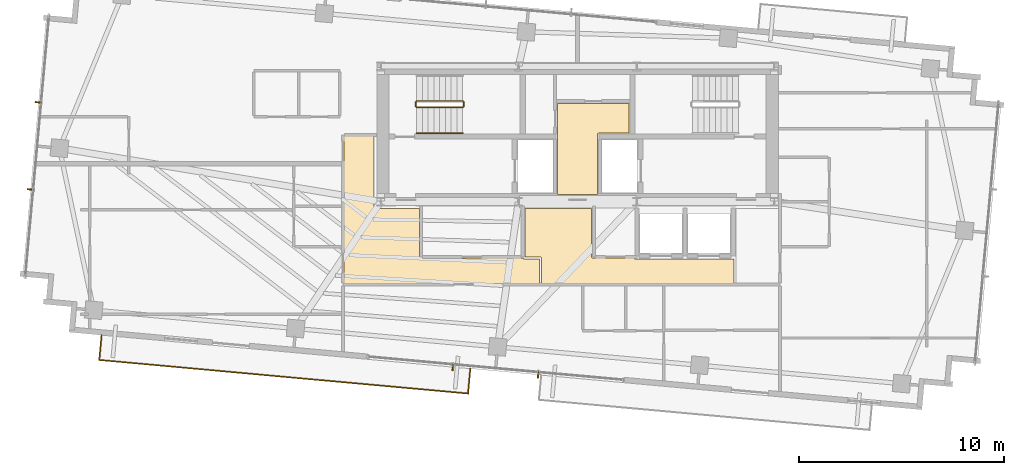
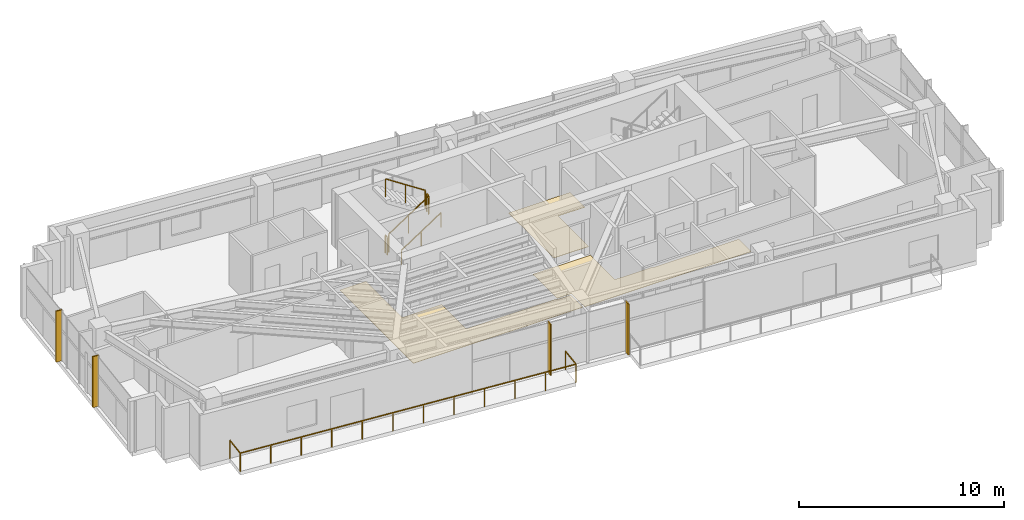
# One storey, part 20 of 22: 6 railings, 4 shading devices, 3 coverings.
"""IFC4 building model written with IfcOpenShell, lengths in metres."""

from ifc_helpers import new_model, si_unit, direction, frame, origin, origin_2d, place, context, subcontext, project, spatial, polyline, rectangle, outline, extrude, source, transform, mapped, material, layer, layer_set, type_object, type_shapes, element, save


model = new_model("IFC4")

# Units and contexts
model_context = context("Model", 3, precision=1e-05, world=origin(), true_north=direction((0.0, 1.0)))
body_context = subcontext(model_context, "Body", "Model", "MODEL_VIEW")
ifc_project = project(units=[si_unit("LENGTHUNIT", "METRE"), si_unit("AREAUNIT", "SQUARE_METRE"), si_unit("VOLUMEUNIT", "CUBIC_METRE"), si_unit("PLANEANGLEUNIT", "RADIAN"), si_unit("MASSUNIT", "GRAM", prefix="KILO")], contexts=[model_context])

# Site, building, storey
site_placement = place(None, origin())
site = spatial("IfcSite", under=ifc_project, at=site_placement, CompositionType="ELEMENT")
building_placement = place(site_placement, origin())
building = spatial("IfcBuilding", under=site, at=building_placement, Name="Astriad Promenade Condominiums", CompositionType="ELEMENT")
storey_placement = place(building_placement, frame((0.0, 0.0, 252.89990234375)))
storey = spatial("IfcBuildingStorey", under=building, at=storey_placement, Name="L73", CompositionType="ELEMENT", Elevation=252.89990234375)

# Coverings
ifc_material_1 = material(Name="Polished Lakefront Terrazzo Flooring")
ifc_layer = layer(ifc_material_1, 0.02001953125)
ifc_layer_set = layer_set([ifc_layer], Name="Polished Lakefront Terrazzo Flooring")
covering_type = type_object("IfcCoveringType", Name="COV-FLOR-TERRAZZO-20", PredefinedType="FLOORING", material=ifc_layer_set)
covering_1_placement = place(storey_placement, origin())
element("IfcCovering", 1, at=covering_1_placement, inside=storey, type_object=covering_type, Name="FLR-L73-CSL", PredefinedType="FLOORING", context=body_context, shape_type="SweptSolid", body=[
    extrude(outline(polyline([(36.97998046875, 20.699951171875), (36.97998046875, 17.739990234375), (35.02001953125, 17.739990234375), (35.02001953125, 22.179931640625), (38.5, 22.179931640625), (38.5, 20.739990234375), (37.02001953125, 20.739990234375), (37.01611328125, 20.73974609375), (37.01220703125, 20.7392578125), (37.00830078125, 20.73828125), (37.004638671875, 20.737060546875), (37.001220703125, 20.7353515625), (36.997802734375, 20.7333984375), (36.99462890625, 20.73095703125), (36.99169921875, 20.728271484375), (36.989013671875, 20.725341796875), (36.98681640625, 20.72216796875), (36.984619140625, 20.718994140625), (36.98291015625, 20.71533203125), (36.981689453125, 20.711669921875), (36.980712890625, 20.707763671875), (36.980224609375, 20.703857421875), (36.97998046875, 20.699951171875)])), origin(), (0.0, 0.0, 1.0), 0.02001953125),
])
covering_2_placement = place(storey_placement, origin())
element("IfcCovering", 2, at=covering_2_placement, inside=storey, type_object=covering_type, Name="FLR-L73-LLB", PredefinedType="FLOORING", context=body_context, shape_type="SweptSolid", body=[
    extrude(outline(polyline([(43.639892578125, 14.610107421875), (43.639892578125, 13.39990234375), (34.239990234375, 13.39990234375), (34.239990234375, 14.64990234375), (34.23974609375, 14.65380859375), (34.2392578125, 14.65771484375), (34.23828125, 14.66162109375), (34.237060546875, 14.665283203125), (34.2353515625, 14.6689453125), (34.2333984375, 14.672119140625), (34.23095703125, 14.67529296875), (34.228271484375, 14.67822265625), (34.225341796875, 14.680908203125), (34.22216796875, 14.683349609375), (34.218994140625, 14.685302734375), (34.21533203125, 14.68701171875), (34.211669921875, 14.688232421875), (34.207763671875, 14.689208984375), (34.203857421875, 14.689697265625), (34.199951171875, 14.68994140625), (33.43994140625, 14.68994140625), (33.43994140625, 17.06005859375), (36.679931640625, 17.06005859375), (36.679931640625, 14.699951171875), (36.68017578125, 14.696044921875), (36.680908203125, 14.692138671875), (36.681640625, 14.6884765625), (36.68310546875, 14.684814453125), (36.684814453125, 14.68115234375), (36.686767578125, 14.677734375), (36.689208984375, 14.674560546875), (36.691650390625, 14.671630859375), (36.694580078125, 14.669189453125), (36.69775390625, 14.666748046875), (36.701171875, 14.664794921875), (36.70458984375, 14.6630859375), (36.70849609375, 14.66162109375), (36.712158203125, 14.660888671875), (36.716064453125, 14.66015625), (36.719970703125, 14.659912109375), (38.760009765625, 14.659912109375), (38.760009765625, 14.64990234375), (38.76025390625, 14.64599609375), (38.7607421875, 14.64208984375), (38.76171875, 14.638427734375), (38.762939453125, 14.634765625), (38.7646484375, 14.631103515625), (38.7666015625, 14.627685546875), (38.76904296875, 14.62451171875), (38.771728515625, 14.62158203125), (38.774658203125, 14.619140625), (38.77783203125, 14.61669921875), (38.781005859375, 14.61474609375), (38.78466796875, 14.613037109375), (38.788330078125, 14.61181640625), (38.792236328125, 14.61083984375), (38.796142578125, 14.610107421875), (38.800048828125, 14.610107421875), (43.639892578125, 14.610107421875)])), origin(), (0.0, 0.0, 1.0), 0.02001953125),
])
covering_3_placement = place(storey_placement, origin())
element("IfcCovering", 3, at=covering_3_placement, inside=storey, type_object=covering_type, Name="FLR-L73-COR-1", PredefinedType="FLOORING", context=body_context, shape_type="SweptSolid", body=[
    extrude(outline(polyline([(24.590087890625, 13.39990234375), (24.590087890625, 20.610107421875), (26.06005859375, 20.610107421875), (26.06005859375, 17.10009765625), (26.060302734375, 17.09619140625), (26.060791015625, 17.09228515625), (26.061767578125, 17.08837890625), (26.06298828125, 17.084716796875), (26.064697265625, 17.0810546875), (26.066650390625, 17.077880859375), (26.069091796875, 17.07470703125), (26.07177734375, 17.07177734375), (26.07470703125, 17.069091796875), (26.077880859375, 17.066650390625), (26.0810546875, 17.064697265625), (26.084716796875, 17.06298828125), (26.08837890625, 17.061767578125), (26.09228515625, 17.060791015625), (26.09619140625, 17.060302734375), (26.10009765625, 17.06005859375), (28.280029296875, 17.06005859375), (28.280029296875, 14.699951171875), (28.2802734375, 14.696044921875), (28.28076171875, 14.692138671875), (28.28173828125, 14.6884765625), (28.282958984375, 14.684814453125), (28.28466796875, 14.68115234375), (28.28662109375, 14.677734375), (28.2890625, 14.674560546875), (28.291748046875, 14.671630859375), (28.294677734375, 14.669189453125), (28.2978515625, 14.666748046875), (28.301025390625, 14.664794921875), (28.3046875, 14.6630859375), (28.308349609375, 14.66162109375), (28.312255859375, 14.660888671875), (28.316162109375, 14.66015625), (28.320068359375, 14.659912109375), (33.35009765625, 14.659912109375), (33.35009765625, 14.64892578125), (33.35009765625, 14.64501953125), (33.350830078125, 14.64111328125), (33.35107421875, 14.64013671875), (33.351318359375, 14.639404296875), (33.351318359375, 14.638427734375), (33.352294921875, 14.634521484375), (33.353759765625, 14.630859375), (33.3544921875, 14.629150390625), (33.356201171875, 14.6259765625), (33.356689453125, 14.625), (33.35888671875, 14.62158203125), (33.3603515625, 14.61962890625), (33.36083984375, 14.618896484375), (33.361083984375, 14.61865234375), (33.361328125, 14.618408203125), (33.361572265625, 14.617919921875), (33.36328125, 14.615966796875), (33.365966796875, 14.61328125), (33.367919921875, 14.611572265625), (33.368408203125, 14.611328125), (33.36865234375, 14.611083984375), (33.368896484375, 14.61083984375), (33.36962890625, 14.6103515625), (33.37158203125, 14.60888671875), (33.375, 14.606689453125), (33.3759765625, 14.606201171875), (33.379150390625, 14.6044921875), (33.3798828125, 14.604248046875), (33.380859375, 14.603759765625), (33.384521484375, 14.602294921875), (33.388427734375, 14.601318359375), (33.389404296875, 14.601318359375), (33.39013671875, 14.60107421875), (33.39111328125, 14.600830078125), (33.39501953125, 14.60009765625), (33.39892578125, 14.60009765625), (34.14990234375, 14.60009765625), (34.14990234375, 13.39990234375), (24.590087890625, 13.39990234375)])), origin(), (0.0, 0.0, 1.0), 0.02001953125),
])

# Shading devices
ifc_material_2 = material(Name="Anodised aluminium 6063-T6 Black Fin", Category="aluminium")
shading_device_type = type_object("IfcShadingDeviceType", Name="FIN-BLACK-260", PredefinedType="USERDEFINED", material=ifc_material_2)
shared_shape_1 = source(origin(), body_context, "Body", "SweptSolid", [
    extrude(rectangle(XDim=0.06494140625, YDim=0.320068359375, at=origin_2d()), origin(), (0.0, 0.0, 1.0), 3.0400390625),
])
type_shapes(shading_device_type, [shared_shape_1])
for number, where, z_axis, x_axis, name in (
    (4, (9.293212890625, 17.9970703125, 0.0), (0.0, 0.0, 1.0), (0.090632580198, 0.995884398616, 0.0), "CW-L73-W-FIN-01"),
    (5, (9.6796875, 22.246337890625, 0.0), (0.0, 0.0, 1.0), (0.090632580198, 0.995884398616, 0.0), "CW-L73-W-FIN-02"),
    (6, (34.073974609375, 8.937255859375, 0.0), (0.0, 0.0, 1.0), (-0.995884398616, 0.090632580198, 0.0), "CW-L73-S-FIN-01"),
    (7, (29.9111328125, 9.316162109375, 0.0), (0.0, 0.0, 1.0), (-0.995884398616, 0.090632580198, 0.0), "CW-L73-S-FIN-02"),
):
    element("IfcShadingDevice", number, at=place(storey_placement, frame(where, z_axis=z_axis, x_axis=x_axis)), inside=storey, type_object=shading_device_type, Name=name, ObjectType="FIN", PredefinedType="USERDEFINED", context=body_context, shape_type="MappedRepresentation", body=[
        mapped(shared_shape_1, transform((0.0, 0.0, 0.0), scale=1.0)),
    ])

# Railings
ifc_material_3 = material(Name="Laminated Glass and Stainless Steel Balustrade", Category="steel")
railing_type_1 = type_object("IfcRailingType", Name="GRD-BALC-1120", PredefinedType="BALUSTRADE", material=ifc_material_3)
shared_shape_2 = source(origin(), body_context, "Body", "SweptSolid", [
    extrude(rectangle(XDim=0.048095703125, YDim=0.048095703125, at=origin_2d()), frame((0.0, 0.0, 1.09619140625), z_axis=(-0.090643994769, -0.995883359743, 0.0), x_axis=(0.995883359743, -0.090643994769, 0.0)), (0.0, 0.0, 1.0), 1.22021484375),
    extrude(rectangle(XDim=0.048095703125, YDim=0.048095703125, at=origin_2d()), frame((-0.110595703125, -1.215087890625, 1.09619140625), z_axis=(0.995884455486, -0.090631955301, 0.0), x_axis=(0.090631955301, 0.995884455486, 0.0)), (0.0, 0.0, 1.0), 18.0751953125),
    extrude(rectangle(XDim=0.048095703125, YDim=0.048095703125, at=origin_2d()), frame((17.89013671875, -2.853271484375, 1.09619140625), z_axis=(0.090445536319, 0.995901403232, 0.0), x_axis=(-0.995901403232, 0.090445536319, 0.0)), (0.0, 0.0, 1.0), 1.219970703125),
    extrude(rectangle(XDim=0.0419921875, YDim=0.0419921875, at=origin_2d()), origin(), (0.0, 0.0, 1.0), 1.072021484375),
    extrude(rectangle(XDim=0.0419921875, YDim=0.0419921875, at=origin_2d()), frame((-0.110595703125, -1.215087890625, 0.0)), (0.0, 0.0, 1.0), 1.072021484375),
    extrude(rectangle(XDim=0.0419921875, YDim=0.0419921875, at=origin_2d()), frame((1.52587890625, -1.364013671875, 0.0)), (0.0, 0.0, 1.0), 1.072021484375),
    extrude(rectangle(XDim=0.0419921875, YDim=0.0419921875, at=origin_2d()), frame((3.162353515625, -1.512939453125, 0.0)), (0.0, 0.0, 1.0), 1.072021484375),
    extrude(rectangle(XDim=0.0419921875, YDim=0.0419921875, at=origin_2d()), frame((4.798583984375, -1.661865234375, 0.0)), (0.0, 0.0, 1.0), 1.072021484375),
    extrude(rectangle(XDim=0.0419921875, YDim=0.0419921875, at=origin_2d()), frame((6.43505859375, -1.810791015625, 0.0)), (0.0, 0.0, 1.0), 1.072021484375),
    extrude(rectangle(XDim=0.0419921875, YDim=0.0419921875, at=origin_2d()), frame((8.071533203125, -1.959716796875, 0.0)), (0.0, 0.0, 1.0), 1.072021484375),
    extrude(rectangle(XDim=0.0419921875, YDim=0.0419921875, at=origin_2d()), frame((9.7080078125, -2.108642578125, 0.0)), (0.0, 0.0, 1.0), 1.072021484375),
    extrude(rectangle(XDim=0.0419921875, YDim=0.0419921875, at=origin_2d()), frame((11.344482421875, -2.257568359375, 0.0)), (0.0, 0.0, 1.0), 1.072021484375),
    extrude(rectangle(XDim=0.0419921875, YDim=0.0419921875, at=origin_2d()), frame((12.98095703125, -2.406494140625, 0.0)), (0.0, 0.0, 1.0), 1.072021484375),
    extrude(rectangle(XDim=0.0419921875, YDim=0.0419921875, at=origin_2d()), frame((14.6171875, -2.555419921875, 0.0)), (0.0, 0.0, 1.0), 1.072021484375),
    extrude(rectangle(XDim=0.0419921875, YDim=0.0419921875, at=origin_2d()), frame((16.253662109375, -2.704345703125, 0.0)), (0.0, 0.0, 1.0), 1.072021484375),
    extrude(rectangle(XDim=0.0419921875, YDim=0.0419921875, at=origin_2d()), frame((17.89013671875, -2.853271484375, 0.0)), (0.0, 0.0, 1.0), 1.072021484375),
    extrude(rectangle(XDim=0.0419921875, YDim=0.0419921875, at=origin_2d()), frame((18.00048828125, -1.63818359375, 0.0)), (0.0, 0.0, 1.0), 1.072021484375),
])
type_shapes(railing_type_1, [shared_shape_2])
railing_1_placement = place(storey_placement, frame((12.765869140625, 10.886474609375, 0.0)))
element("IfcRailing", 8, at=railing_1_placement, inside=storey, type_object=railing_type_1, Name="GRD-BALC-L73-SW", PredefinedType="BALUSTRADE", context=body_context, shape_type="MappedRepresentation", body=[
    mapped(shared_shape_2, transform((0.0, 0.0, 0.0), scale=1.0)),
])
ifc_material_4 = material(Name="Painted Galvanised Steel Guardrail", Category="steel")
railing_type_2 = type_object("IfcRailingType", Name="GRD-STAIR-1100", PredefinedType="GUARDRAIL", material=ifc_material_4)
shared_shape_3 = source(origin(), body_context, "Body", "SweptSolid", [
    extrude(rectangle(XDim=0.048095703125, YDim=0.048095703125, at=origin_2d()), frame((0.0, 0.0, 1.076171875), z_axis=(0.0, 1.0, 0.0), x_axis=(-1.0, 0.0, 0.0)), (0.0, 0.0, 1.0), 0.199951171875),
    extrude(rectangle(XDim=0.0419921875, YDim=0.0419921875, at=origin_2d()), origin(), (0.0, 0.0, 1.0), 1.052001953125),
    extrude(rectangle(XDim=0.0419921875, YDim=0.0419921875, at=origin_2d()), frame((0.0, 0.199951171875, 0.0)), (0.0, 0.0, 1.0), 1.052001953125),
])
for number, where, name in (
    (9, (30.43994140625, 22.050048828125, 1.650146484375), "L73 ST-1 stair guard 2"),
    (10, (28.10009765625, 22.050048828125, 0.0), "L73 ST-1 stair guard 4"),
):
    element("IfcRailing", number, at=place(storey_placement, frame(where)), inside=storey, type_object=railing_type_2, Name=name, PredefinedType="GUARDRAIL", context=body_context, shape_type="MappedRepresentation", body=[
        mapped(shared_shape_3, transform((0.0, 0.0, 0.0), scale=1.0)),
    ])
shared_shape_4 = source(origin(), body_context, "Body", "SweptSolid", [
    extrude(rectangle(XDim=0.048095703125, YDim=0.048095703125, at=origin_2d()), frame((0.0, 0.0, 1.076171875), z_axis=(-0.836636935527, 0.0, 0.547757827979), x_axis=(0.0, -1.0, 0.0)), (0.0, 0.0, 1.0), 2.677490234375),
    extrude(rectangle(XDim=0.0419921875, YDim=0.0419921875, at=origin_2d()), origin(), (0.0, 0.0, 1.0), 1.052001953125),
    extrude(rectangle(XDim=0.0419921875, YDim=0.0419921875, at=origin_2d()), frame((-1.1201171875, 0.0, 0.7333984375)), (0.0, 0.0, 1.0), 1.052001953125),
    extrude(rectangle(XDim=0.0419921875, YDim=0.0419921875, at=origin_2d()), frame((-2.239990234375, 0.0, 1.466552734375)), (0.0, 0.0, 1.0), 1.052001953125),
])
railing_2_placement = place(storey_placement, frame((30.389892578125, 22.300048828125, 1.83349609375)))
element("IfcRailing", 11, at=railing_2_placement, inside=storey, type_object=railing_type_2, Name="L73 ST-1 stair guard 3", PredefinedType="GUARDRAIL", context=body_context, shape_type="MappedRepresentation", body=[
    mapped(shared_shape_4, transform((0.0, 0.0, 0.0), scale=1.0)),
])
shared_shape_5 = source(origin(), body_context, "Body", "SweptSolid", [
    extrude(rectangle(XDim=0.048095703125, YDim=0.048095703125, at=origin_2d()), frame((0.0, 0.0, 1.076171875), z_axis=(0.836595146698, 0.0, 0.547821650285), x_axis=(0.0, 1.0, 0.0)), (0.0, 0.0, 1.0), 2.677490234375),
    extrude(rectangle(XDim=0.0419921875, YDim=0.0419921875, at=origin_2d()), origin(), (0.0, 0.0, 1.0), 1.052001953125),
    extrude(rectangle(XDim=0.0419921875, YDim=0.0419921875, at=origin_2d()), frame((1.1201171875, 0.0, 0.7333984375)), (0.0, 0.0, 1.0), 1.052001953125),
    extrude(rectangle(XDim=0.0419921875, YDim=0.0419921875, at=origin_2d()), frame((2.239990234375, 0.0, 1.466796875)), (0.0, 0.0, 1.0), 1.052001953125),
])
type_shapes(railing_type_2, [shared_shape_3, shared_shape_4, shared_shape_5])
railing_3_placement = place(storey_placement, frame((28.14990234375, 22.0, 0.183349609375)))
element("IfcRailing", 12, at=railing_3_placement, inside=storey, type_object=railing_type_2, Name="L73 ST-1 stair guard 1", PredefinedType="GUARDRAIL", context=body_context, shape_type="MappedRepresentation", body=[
    mapped(shared_shape_5, transform((0.0, 0.0, 0.0), scale=1.0)),
])
ifc_material_5 = material(Name="Brushed Stainless Steel Handrail", Category="steel")
railing_type_3 = type_object("IfcRailingType", Name="HRL-STAIR-920", PredefinedType="HANDRAIL", material=ifc_material_5)
shared_shape_6 = source(origin(), body_context, "Body", "SweptSolid", [
    extrude(rectangle(XDim=0.048095703125, YDim=0.048095703125, at=origin_2d()), frame((0.0, 0.0, 0.8759765625), z_axis=(0.836595146698, 0.0, 0.547821650285), x_axis=(0.0, 1.0, 0.0)), (0.0, 0.0, 1.0), 2.677490234375),
    extrude(rectangle(XDim=0.0419921875, YDim=0.0419921875, at=origin_2d()), origin(), (0.0, 0.0, 1.0), 0.851806640625),
    extrude(rectangle(XDim=0.0419921875, YDim=0.0419921875, at=origin_2d()), frame((1.1201171875, 0.0, 0.7333984375)), (0.0, 0.0, 1.0), 0.851806640625),
    extrude(rectangle(XDim=0.0419921875, YDim=0.0419921875, at=origin_2d()), frame((2.239990234375, 0.0, 1.466796875)), (0.0, 0.0, 1.0), 0.851806640625),
])
type_shapes(railing_type_3, [shared_shape_6])
railing_4_placement = place(storey_placement, frame((28.14990234375, 20.75, 0.183349609375)))
element("IfcRailing", 13, at=railing_4_placement, inside=storey, type_object=railing_type_3, Name="L73 ST-1 stair handrail 1", PredefinedType="HANDRAIL", context=body_context, shape_type="MappedRepresentation", body=[
    mapped(shared_shape_6, transform((0.0, 0.0, 0.0), scale=1.0)),
])

save(model, "model.ifc")
